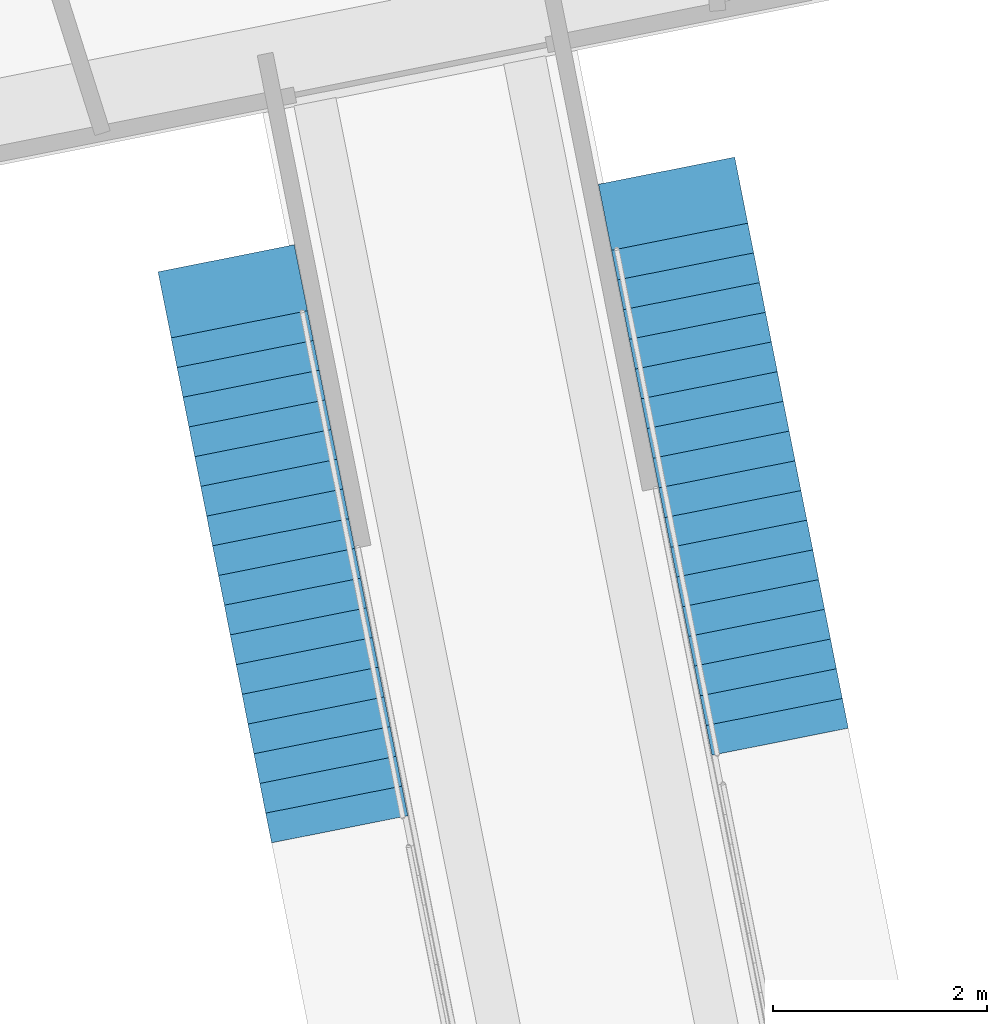
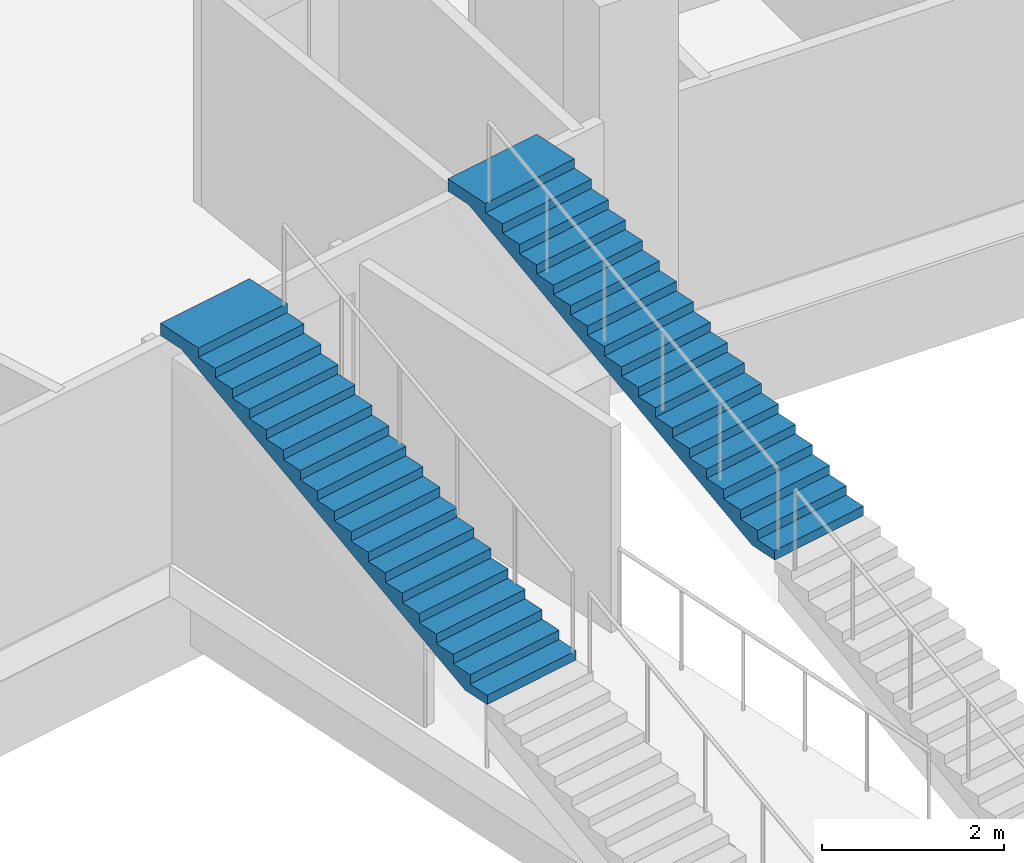
# One storey, part 121 of 175: 2 stair flights, 2 elements without a shape of their own.
"""IFC4 building model written with IfcOpenShell, lengths in metres."""

from ifc_helpers import new_model, si_unit, direction, frame, origin, place, context, subcontext, project, spatial, faceted_brep, material, type_object, element, aggregate, save


model = new_model("IFC4")

# Units and contexts
model_context = context("Model", 3, precision=1e-05, world=origin(), true_north=direction((0.0, 1.0)))
body_context = subcontext(model_context, "Body", "Model", "MODEL_VIEW")
ifc_project = project(units=[si_unit("LENGTHUNIT", "METRE"), si_unit("AREAUNIT", "SQUARE_METRE"), si_unit("VOLUMEUNIT", "CUBIC_METRE"), si_unit("PLANEANGLEUNIT", "RADIAN"), si_unit("MASSUNIT", "GRAM", prefix="KILO")], contexts=[model_context])

# Site, building, storey
site_placement = place(None, origin())
site = spatial("IfcSite", under=ifc_project, at=site_placement, CompositionType="ELEMENT")
building_placement = place(site_placement, origin())
building = spatial("IfcBuilding", under=site, at=building_placement, Name="Ogive Plaza Stadium", CompositionType="ELEMENT")
storey_placement = place(building_placement, origin())
storey = spatial("IfcBuildingStorey", under=building, at=storey_placement, Name="L00", CompositionType="ELEMENT", Elevation=0.0)

# Stair, stair flight
ifc_material_1 = material(Name="Concrete C40/50", Category="concrete")
stair_type = type_object("IfcStairType", Name="Aisle stair", PredefinedType="STRAIGHT_RUN_STAIR", material=ifc_material_1)
stair_1_placement = place(storey_placement, origin())
stair_1 = element("IfcStair", 1, at=stair_1_placement, inside=storey, type_object=stair_type, Name="Aisle stair SA31L", PredefinedType="STRAIGHT_RUN_STAIR")
ifc_material_2 = material(Name="Concrete C40/50", Category="concrete")
stair_flight_type = type_object("IfcStairFlightType", Name="Aisle stair flight", PredefinedType="STRAIGHT", material=ifc_material_2)
stair_flight_1_placement = place(storey_placement, frame((-35.890869140625, 72.7705078125, 2.25), z_axis=(0.0, 0.0, 1.0), x_axis=(-0.195090322016, 0.980785280403, 0.0)))
stair_flight_1 = element("IfcStairFlight", 2, at=stair_flight_1_placement, type_object=stair_flight_type, Name="SA31L flight 2", NumberOfRisers=18, NumberOfTreads=17, PredefinedType="STRAIGHT", RiserHeight=0.125, TreadLength=0.283333333, context=body_context, shape_type="Brep", body=[
    faceted_brep([(0.371337890625, -0.64990234375, 0.0), (5.10009765625, -0.64990234375, 2.086181640625), (5.446533203125, -0.64990234375, 2.086181640625), (5.446533203125, -0.64990234375, 2.25), (4.816650390625, -0.64990234375, 2.25), (4.816650390625, -0.64990234375, 2.125), (4.533447265625, -0.64990234375, 2.125), (4.533447265625, -0.64990234375, 2.0), (4.25, -0.64990234375, 2.0), (4.25, -0.64990234375, 1.875), (3.966552734375, -0.64990234375, 1.875), (3.966552734375, -0.64990234375, 1.75), (3.683349609375, -0.64990234375, 1.75), (3.683349609375, -0.64990234375, 1.625), (3.39990234375, -0.64990234375, 1.625), (3.39990234375, -0.64990234375, 1.5), (3.11669921875, -0.64990234375, 1.5), (3.11669921875, -0.64990234375, 1.375), (2.833251953125, -0.64990234375, 1.375), (2.833251953125, -0.64990234375, 1.25), (2.550048828125, -0.64990234375, 1.25), (2.550048828125, -0.64990234375, 1.125), (2.2666015625, -0.64990234375, 1.125), (2.2666015625, -0.64990234375, 1.0), (1.9833984375, -0.64990234375, 1.0), (1.9833984375, -0.64990234375, 0.875), (1.699951171875, -0.64990234375, 0.875), (1.699951171875, -0.64990234375, 0.75), (1.416748046875, -0.64990234375, 0.75), (1.416748046875, -0.64990234375, 0.625), (1.13330078125, -0.64990234375, 0.625), (1.13330078125, -0.64990234375, 0.5), (0.85009765625, -0.64990234375, 0.5), (0.85009765625, -0.64990234375, 0.375), (0.566650390625, -0.64990234375, 0.375), (0.566650390625, -0.64990234375, 0.25), (0.283447265625, -0.64990234375, 0.25), (0.283447265625, -0.64990234375, 0.125), (0.0, -0.64990234375, 0.125), (0.0, -0.64990234375, 0.0), (0.0, 0.64990234375, 0.0), (0.0, 0.64990234375, 0.125), (0.283447265625, 0.64990234375, 0.125), (0.283447265625, 0.64990234375, 0.25), (0.566650390625, 0.64990234375, 0.25), (0.566650390625, 0.64990234375, 0.375), (0.85009765625, 0.64990234375, 0.375), (0.85009765625, 0.64990234375, 0.5), (1.13330078125, 0.64990234375, 0.5), (1.13330078125, 0.64990234375, 0.625), (1.416748046875, 0.64990234375, 0.625), (1.416748046875, 0.64990234375, 0.75), (1.699951171875, 0.64990234375, 0.75), (1.699951171875, 0.64990234375, 0.875), (1.9833984375, 0.64990234375, 0.875), (1.9833984375, 0.64990234375, 1.0), (2.2666015625, 0.64990234375, 1.0), (2.2666015625, 0.64990234375, 1.125), (2.550048828125, 0.64990234375, 1.125), (2.550048828125, 0.64990234375, 1.25), (2.833251953125, 0.64990234375, 1.25), (2.833251953125, 0.64990234375, 1.375), (3.11669921875, 0.64990234375, 1.375), (3.11669921875, 0.64990234375, 1.5), (3.39990234375, 0.64990234375, 1.5), (3.39990234375, 0.64990234375, 1.625), (3.683349609375, 0.64990234375, 1.625), (3.683349609375, 0.64990234375, 1.75), (3.966552734375, 0.64990234375, 1.75), (3.966552734375, 0.64990234375, 1.875), (4.25, 0.64990234375, 1.875), (4.25, 0.64990234375, 2.0), (4.533447265625, 0.64990234375, 2.0), (4.533447265625, 0.64990234375, 2.125), (4.816650390625, 0.64990234375, 2.125), (4.816650390625, 0.64990234375, 2.25), (5.446533203125, 0.64990234375, 2.25), (5.446533203125, 0.64990234375, 2.086181640625), (5.10009765625, 0.64990234375, 2.086181640625), (0.371337890625, 0.64990234375, 0.0), (0.371337890625, -0.324951171875, 0.0), (5.10009765625, -0.324951171875, 2.086181640625), (0.371337890625, 0.0, 0.0), (5.10009765625, 0.0, 2.086181640625), (0.371337890625, 0.324951171875, 0.0), (5.10009765625, 0.324951171875, 2.086181640625), (5.446533203125, -0.324951171875, 2.086181640625), (5.446533203125, 0.0, 2.086181640625), (5.446533203125, 0.324951171875, 2.086181640625), (5.446533203125, -0.324951171875, 2.25), (5.446533203125, 0.0, 2.25), (5.446533203125, 0.324951171875, 2.25), (4.816650390625, -0.324951171875, 2.25), (4.816650390625, 0.0, 2.25), (4.816650390625, 0.324951171875, 2.25), (4.816650390625, -0.324951171875, 2.125), (4.816650390625, 0.0, 2.125), (4.816650390625, 0.324951171875, 2.125), (4.533447265625, -0.324951171875, 2.125), (4.533447265625, 0.0, 2.125), (4.533447265625, 0.324951171875, 2.125), (4.533447265625, -0.324951171875, 2.0), (4.533447265625, 0.0, 2.0), (4.533447265625, 0.324951171875, 2.0), (4.25, -0.324951171875, 2.0), (4.25, 0.0, 2.0), (4.25, 0.324951171875, 2.0), (4.25, -0.324951171875, 1.875), (4.25, 0.0, 1.875), (4.25, 0.324951171875, 1.875), (3.966552734375, -0.324951171875, 1.875), (3.966552734375, 0.0, 1.875), (3.966552734375, 0.324951171875, 1.875), (3.966552734375, -0.324951171875, 1.75), (3.966552734375, 0.0, 1.75), (3.966552734375, 0.324951171875, 1.75), (3.683349609375, -0.324951171875, 1.75), (3.683349609375, 0.0, 1.75), (3.683349609375, 0.324951171875, 1.75), (3.683349609375, -0.324951171875, 1.625), (3.683349609375, 0.0, 1.625), (3.683349609375, 0.324951171875, 1.625), (3.39990234375, -0.324951171875, 1.625), (3.39990234375, 0.0, 1.625), (3.39990234375, 0.324951171875, 1.625), (3.39990234375, -0.324951171875, 1.5), (3.39990234375, 0.0, 1.5), (3.39990234375, 0.324951171875, 1.5), (3.11669921875, -0.324951171875, 1.5), (3.11669921875, 0.0, 1.5), (3.11669921875, 0.324951171875, 1.5), (3.11669921875, -0.324951171875, 1.375), (3.11669921875, 0.0, 1.375), (3.11669921875, 0.324951171875, 1.375), (2.833251953125, -0.324951171875, 1.375), (2.833251953125, 0.0, 1.375), (2.833251953125, 0.324951171875, 1.375), (2.833251953125, -0.324951171875, 1.25), (2.833251953125, 0.0, 1.25), (2.833251953125, 0.324951171875, 1.25), (2.550048828125, -0.324951171875, 1.25), (2.550048828125, 0.0, 1.25), (2.550048828125, 0.324951171875, 1.25), (2.550048828125, -0.324951171875, 1.125), (2.550048828125, 0.0, 1.125), (2.550048828125, 0.324951171875, 1.125), (2.2666015625, -0.324951171875, 1.125), (2.2666015625, 0.0, 1.125), (2.2666015625, 0.324951171875, 1.125), (2.2666015625, -0.324951171875, 1.0), (2.2666015625, 0.0, 1.0), (2.2666015625, 0.324951171875, 1.0), (1.9833984375, -0.324951171875, 1.0), (1.9833984375, 0.0, 1.0), (1.9833984375, 0.324951171875, 1.0), (1.9833984375, -0.324951171875, 0.875), (1.9833984375, 0.0, 0.875), (1.9833984375, 0.324951171875, 0.875), (1.699951171875, -0.324951171875, 0.875), (1.699951171875, 0.0, 0.875), (1.699951171875, 0.324951171875, 0.875), (1.699951171875, -0.324951171875, 0.75), (1.699951171875, 0.0, 0.75), (1.699951171875, 0.324951171875, 0.75), (1.416748046875, -0.324951171875, 0.75), (1.416748046875, 0.0, 0.75), (1.416748046875, 0.324951171875, 0.75), (1.416748046875, -0.324951171875, 0.625), (1.416748046875, 0.0, 0.625), (1.416748046875, 0.324951171875, 0.625), (1.13330078125, -0.324951171875, 0.625), (1.13330078125, 0.0, 0.625), (1.13330078125, 0.324951171875, 0.625), (1.13330078125, -0.324951171875, 0.5), (1.13330078125, 0.0, 0.5), (1.13330078125, 0.324951171875, 0.5), (0.85009765625, -0.324951171875, 0.5), (0.85009765625, 0.0, 0.5), (0.85009765625, 0.324951171875, 0.5), (0.85009765625, -0.324951171875, 0.375), (0.85009765625, 0.0, 0.375), (0.85009765625, 0.324951171875, 0.375), (0.566650390625, -0.324951171875, 0.375), (0.566650390625, 0.0, 0.375), (0.566650390625, 0.324951171875, 0.375), (0.566650390625, -0.324951171875, 0.25), (0.566650390625, 0.0, 0.25), (0.566650390625, 0.324951171875, 0.25), (0.283447265625, -0.324951171875, 0.25), (0.283447265625, 0.0, 0.25), (0.283447265625, 0.324951171875, 0.25), (0.283447265625, -0.324951171875, 0.125), (0.283447265625, 0.0, 0.125), (0.283447265625, 0.324951171875, 0.125), (0.0, -0.324951171875, 0.125), (0.0, 0.0, 0.125), (0.0, 0.324951171875, 0.125), (0.0, -0.324951171875, 0.0), (0.0, 0.0, 0.0), (0.0, 0.324951171875, 0.0)], [[[0, 1, 2, 3, 4, 5, 6, 7, 8, 9, 10, 11, 12, 13, 14, 15, 16, 17, 18, 19, 20, 21, 22, 23, 24, 25, 26, 27, 28, 29, 30, 31, 32, 33, 34, 35, 36, 37, 38, 39]], [[40, 41, 42, 43, 44, 45, 46, 47, 48, 49, 50, 51, 52, 53, 54, 55, 56, 57, 58, 59, 60, 61, 62, 63, 64, 65, 66, 67, 68, 69, 70, 71, 72, 73, 74, 75, 76, 77, 78, 79]], [[0, 80, 81, 1]], [[80, 82, 83, 81]], [[82, 84, 85, 83]], [[84, 79, 78, 85]], [[1, 81, 86, 2]], [[81, 83, 87, 86]], [[83, 85, 88, 87]], [[85, 78, 77, 88]], [[2, 86, 89, 3]], [[86, 87, 90, 89]], [[87, 88, 91, 90]], [[88, 77, 76, 91]], [[3, 89, 92, 4]], [[89, 90, 93, 92]], [[90, 91, 94, 93]], [[91, 76, 75, 94]], [[4, 92, 95, 5]], [[92, 93, 96, 95]], [[93, 94, 97, 96]], [[94, 75, 74, 97]], [[5, 95, 98, 6]], [[95, 96, 99, 98]], [[96, 97, 100, 99]], [[97, 74, 73, 100]], [[6, 98, 101, 7]], [[98, 99, 102, 101]], [[99, 100, 103, 102]], [[100, 73, 72, 103]], [[7, 101, 104, 8]], [[101, 102, 105, 104]], [[102, 103, 106, 105]], [[103, 72, 71, 106]], [[8, 104, 107, 9]], [[104, 105, 108, 107]], [[105, 106, 109, 108]], [[106, 71, 70, 109]], [[9, 107, 110, 10]], [[107, 108, 111, 110]], [[108, 109, 112, 111]], [[109, 70, 69, 112]], [[10, 110, 113, 11]], [[110, 111, 114, 113]], [[111, 112, 115, 114]], [[112, 69, 68, 115]], [[11, 113, 116, 12]], [[113, 114, 117, 116]], [[114, 115, 118, 117]], [[115, 68, 67, 118]], [[12, 116, 119, 13]], [[116, 117, 120, 119]], [[117, 118, 121, 120]], [[118, 67, 66, 121]], [[13, 119, 122, 14]], [[119, 120, 123, 122]], [[120, 121, 124, 123]], [[121, 66, 65, 124]], [[14, 122, 125, 15]], [[122, 123, 126, 125]], [[123, 124, 127, 126]], [[124, 65, 64, 127]], [[15, 125, 128, 16]], [[125, 126, 129, 128]], [[126, 127, 130, 129]], [[127, 64, 63, 130]], [[16, 128, 131, 17]], [[128, 129, 132, 131]], [[129, 130, 133, 132]], [[130, 63, 62, 133]], [[17, 131, 134, 18]], [[131, 132, 135, 134]], [[132, 133, 136, 135]], [[133, 62, 61, 136]], [[18, 134, 137, 19]], [[134, 135, 138, 137]], [[135, 136, 139, 138]], [[136, 61, 60, 139]], [[19, 137, 140, 20]], [[137, 138, 141, 140]], [[138, 139, 142, 141]], [[139, 60, 59, 142]], [[20, 140, 143, 21]], [[140, 141, 144, 143]], [[141, 142, 145, 144]], [[142, 59, 58, 145]], [[21, 143, 146, 22]], [[143, 144, 147, 146]], [[144, 145, 148, 147]], [[145, 58, 57, 148]], [[22, 146, 149, 23]], [[146, 147, 150, 149]], [[147, 148, 151, 150]], [[148, 57, 56, 151]], [[23, 149, 152, 24]], [[149, 150, 153, 152]], [[150, 151, 154, 153]], [[151, 56, 55, 154]], [[24, 152, 155, 25]], [[152, 153, 156, 155]], [[153, 154, 157, 156]], [[154, 55, 54, 157]], [[25, 155, 158, 26]], [[155, 156, 159, 158]], [[156, 157, 160, 159]], [[157, 54, 53, 160]], [[26, 158, 161, 27]], [[158, 159, 162, 161]], [[159, 160, 163, 162]], [[160, 53, 52, 163]], [[27, 161, 164, 28]], [[161, 162, 165, 164]], [[162, 163, 166, 165]], [[163, 52, 51, 166]], [[28, 164, 167, 29]], [[164, 165, 168, 167]], [[165, 166, 169, 168]], [[166, 51, 50, 169]], [[29, 167, 170, 30]], [[167, 168, 171, 170]], [[168, 169, 172, 171]], [[169, 50, 49, 172]], [[30, 170, 173, 31]], [[170, 171, 174, 173]], [[171, 172, 175, 174]], [[172, 49, 48, 175]], [[31, 173, 176, 32]], [[173, 174, 177, 176]], [[174, 175, 178, 177]], [[175, 48, 47, 178]], [[32, 176, 179, 33]], [[176, 177, 180, 179]], [[177, 178, 181, 180]], [[178, 47, 46, 181]], [[33, 179, 182, 34]], [[179, 180, 183, 182]], [[180, 181, 184, 183]], [[181, 46, 45, 184]], [[34, 182, 185, 35]], [[182, 183, 186, 185]], [[183, 184, 187, 186]], [[184, 45, 44, 187]], [[35, 185, 188, 36]], [[185, 186, 189, 188]], [[186, 187, 190, 189]], [[187, 44, 43, 190]], [[36, 188, 191, 37]], [[188, 189, 192, 191]], [[189, 190, 193, 192]], [[190, 43, 42, 193]], [[37, 191, 194, 38]], [[191, 192, 195, 194]], [[192, 193, 196, 195]], [[193, 42, 41, 196]], [[38, 194, 197, 39]], [[194, 195, 198, 197]], [[195, 196, 199, 198]], [[196, 41, 40, 199]], [[39, 197, 80, 0]], [[197, 198, 82, 80]], [[198, 199, 84, 82]], [[199, 40, 79, 84]]]),
])
aggregate(stair_1, [stair_flight_1])

stair_2_placement = place(storey_placement, origin())
stair_2 = element("IfcStair", 3, at=stair_2_placement, inside=storey, type_object=stair_type, Name="Aisle stair SA31R", PredefinedType="STRAIGHT_RUN_STAIR")
stair_flight_2_placement = place(storey_placement, frame((-40.01025390625, 71.951171875, 2.25), z_axis=(0.0, 0.0, 1.0), x_axis=(-0.195090322016, 0.980785280403, 0.0)))
stair_flight_2 = element("IfcStairFlight", 4, at=stair_flight_2_placement, type_object=stair_flight_type, Name="SA31R flight 2", NumberOfRisers=18, NumberOfTreads=17, PredefinedType="STRAIGHT", RiserHeight=0.125, TreadLength=0.283333333, context=body_context, shape_type="Brep", body=[
    faceted_brep([(0.371337890625, -0.64990234375, 0.0), (5.10009765625, -0.64990234375, 2.086181640625), (5.446533203125, -0.64990234375, 2.086181640625), (5.446533203125, -0.64990234375, 2.25), (4.816650390625, -0.64990234375, 2.25), (4.816650390625, -0.64990234375, 2.125), (4.533447265625, -0.64990234375, 2.125), (4.533447265625, -0.64990234375, 2.0), (4.25, -0.64990234375, 2.0), (4.25, -0.64990234375, 1.875), (3.966552734375, -0.64990234375, 1.875), (3.966552734375, -0.64990234375, 1.75), (3.683349609375, -0.64990234375, 1.75), (3.683349609375, -0.64990234375, 1.625), (3.39990234375, -0.64990234375, 1.625), (3.39990234375, -0.64990234375, 1.5), (3.11669921875, -0.64990234375, 1.5), (3.11669921875, -0.64990234375, 1.375), (2.833251953125, -0.64990234375, 1.375), (2.833251953125, -0.64990234375, 1.25), (2.550048828125, -0.64990234375, 1.25), (2.550048828125, -0.64990234375, 1.125), (2.2666015625, -0.64990234375, 1.125), (2.2666015625, -0.64990234375, 1.0), (1.9833984375, -0.64990234375, 1.0), (1.9833984375, -0.64990234375, 0.875), (1.699951171875, -0.64990234375, 0.875), (1.699951171875, -0.64990234375, 0.75), (1.416748046875, -0.64990234375, 0.75), (1.416748046875, -0.64990234375, 0.625), (1.13330078125, -0.64990234375, 0.625), (1.13330078125, -0.64990234375, 0.5), (0.85009765625, -0.64990234375, 0.5), (0.85009765625, -0.64990234375, 0.375), (0.566650390625, -0.64990234375, 0.375), (0.566650390625, -0.64990234375, 0.25), (0.283447265625, -0.64990234375, 0.25), (0.283447265625, -0.64990234375, 0.125), (0.0, -0.64990234375, 0.125), (0.0, -0.64990234375, 0.0), (0.0, 0.64990234375, 0.0), (0.0, 0.64990234375, 0.125), (0.283447265625, 0.64990234375, 0.125), (0.283447265625, 0.64990234375, 0.25), (0.566650390625, 0.64990234375, 0.25), (0.566650390625, 0.64990234375, 0.375), (0.85009765625, 0.64990234375, 0.375), (0.85009765625, 0.64990234375, 0.5), (1.13330078125, 0.64990234375, 0.5), (1.13330078125, 0.64990234375, 0.625), (1.416748046875, 0.64990234375, 0.625), (1.416748046875, 0.64990234375, 0.75), (1.699951171875, 0.64990234375, 0.75), (1.699951171875, 0.64990234375, 0.875), (1.9833984375, 0.64990234375, 0.875), (1.9833984375, 0.64990234375, 1.0), (2.2666015625, 0.64990234375, 1.0), (2.2666015625, 0.64990234375, 1.125), (2.550048828125, 0.64990234375, 1.125), (2.550048828125, 0.64990234375, 1.25), (2.833251953125, 0.64990234375, 1.25), (2.833251953125, 0.64990234375, 1.375), (3.11669921875, 0.64990234375, 1.375), (3.11669921875, 0.64990234375, 1.5), (3.39990234375, 0.64990234375, 1.5), (3.39990234375, 0.64990234375, 1.625), (3.683349609375, 0.64990234375, 1.625), (3.683349609375, 0.64990234375, 1.75), (3.966552734375, 0.64990234375, 1.75), (3.966552734375, 0.64990234375, 1.875), (4.25, 0.64990234375, 1.875), (4.25, 0.64990234375, 2.0), (4.533447265625, 0.64990234375, 2.0), (4.533447265625, 0.64990234375, 2.125), (4.816650390625, 0.64990234375, 2.125), (4.816650390625, 0.64990234375, 2.25), (5.446533203125, 0.64990234375, 2.25), (5.446533203125, 0.64990234375, 2.086181640625), (5.10009765625, 0.64990234375, 2.086181640625), (0.371337890625, 0.64990234375, 0.0), (0.371337890625, -0.324951171875, 0.0), (5.10009765625, -0.324951171875, 2.086181640625), (0.371337890625, 0.0, 0.0), (5.10009765625, 0.0, 2.086181640625), (0.371337890625, 0.324951171875, 0.0), (5.10009765625, 0.324951171875, 2.086181640625), (5.446533203125, -0.324951171875, 2.086181640625), (5.446533203125, 0.0, 2.086181640625), (5.446533203125, 0.324951171875, 2.086181640625), (5.446533203125, -0.324951171875, 2.25), (5.446533203125, 0.0, 2.25), (5.446533203125, 0.324951171875, 2.25), (4.816650390625, -0.324951171875, 2.25), (4.816650390625, 0.0, 2.25), (4.816650390625, 0.324951171875, 2.25), (4.816650390625, -0.324951171875, 2.125), (4.816650390625, 0.0, 2.125), (4.816650390625, 0.324951171875, 2.125), (4.533447265625, -0.324951171875, 2.125), (4.533447265625, 0.0, 2.125), (4.533447265625, 0.324951171875, 2.125), (4.533447265625, -0.324951171875, 2.0), (4.533447265625, 0.0, 2.0), (4.533447265625, 0.324951171875, 2.0), (4.25, -0.324951171875, 2.0), (4.25, 0.0, 2.0), (4.25, 0.324951171875, 2.0), (4.25, -0.324951171875, 1.875), (4.25, 0.0, 1.875), (4.25, 0.324951171875, 1.875), (3.966552734375, -0.324951171875, 1.875), (3.966552734375, 0.0, 1.875), (3.966552734375, 0.324951171875, 1.875), (3.966552734375, -0.324951171875, 1.75), (3.966552734375, 0.0, 1.75), (3.966552734375, 0.324951171875, 1.75), (3.683349609375, -0.324951171875, 1.75), (3.683349609375, 0.0, 1.75), (3.683349609375, 0.324951171875, 1.75), (3.683349609375, -0.324951171875, 1.625), (3.683349609375, 0.0, 1.625), (3.683349609375, 0.324951171875, 1.625), (3.39990234375, -0.324951171875, 1.625), (3.39990234375, 0.0, 1.625), (3.39990234375, 0.324951171875, 1.625), (3.39990234375, -0.324951171875, 1.5), (3.39990234375, 0.0, 1.5), (3.39990234375, 0.324951171875, 1.5), (3.11669921875, -0.324951171875, 1.5), (3.11669921875, 0.0, 1.5), (3.11669921875, 0.324951171875, 1.5), (3.11669921875, -0.324951171875, 1.375), (3.11669921875, 0.0, 1.375), (3.11669921875, 0.324951171875, 1.375), (2.833251953125, -0.324951171875, 1.375), (2.833251953125, 0.0, 1.375), (2.833251953125, 0.324951171875, 1.375), (2.833251953125, -0.324951171875, 1.25), (2.833251953125, 0.0, 1.25), (2.833251953125, 0.324951171875, 1.25), (2.550048828125, -0.324951171875, 1.25), (2.550048828125, 0.0, 1.25), (2.550048828125, 0.324951171875, 1.25), (2.550048828125, -0.324951171875, 1.125), (2.550048828125, 0.0, 1.125), (2.550048828125, 0.324951171875, 1.125), (2.2666015625, -0.324951171875, 1.125), (2.2666015625, 0.0, 1.125), (2.2666015625, 0.324951171875, 1.125), (2.2666015625, -0.324951171875, 1.0), (2.2666015625, 0.0, 1.0), (2.2666015625, 0.324951171875, 1.0), (1.9833984375, -0.324951171875, 1.0), (1.9833984375, 0.0, 1.0), (1.9833984375, 0.324951171875, 1.0), (1.9833984375, -0.324951171875, 0.875), (1.9833984375, 0.0, 0.875), (1.9833984375, 0.324951171875, 0.875), (1.699951171875, -0.324951171875, 0.875), (1.699951171875, 0.0, 0.875), (1.699951171875, 0.324951171875, 0.875), (1.699951171875, -0.324951171875, 0.75), (1.699951171875, 0.0, 0.75), (1.699951171875, 0.324951171875, 0.75), (1.416748046875, -0.324951171875, 0.75), (1.416748046875, 0.0, 0.75), (1.416748046875, 0.324951171875, 0.75), (1.416748046875, -0.324951171875, 0.625), (1.416748046875, 0.0, 0.625), (1.416748046875, 0.324951171875, 0.625), (1.13330078125, -0.324951171875, 0.625), (1.13330078125, 0.0, 0.625), (1.13330078125, 0.324951171875, 0.625), (1.13330078125, -0.324951171875, 0.5), (1.13330078125, 0.0, 0.5), (1.13330078125, 0.324951171875, 0.5), (0.85009765625, -0.324951171875, 0.5), (0.85009765625, 0.0, 0.5), (0.85009765625, 0.324951171875, 0.5), (0.85009765625, -0.324951171875, 0.375), (0.85009765625, 0.0, 0.375), (0.85009765625, 0.324951171875, 0.375), (0.566650390625, -0.324951171875, 0.375), (0.566650390625, 0.0, 0.375), (0.566650390625, 0.324951171875, 0.375), (0.566650390625, -0.324951171875, 0.25), (0.566650390625, 0.0, 0.25), (0.566650390625, 0.324951171875, 0.25), (0.283447265625, -0.324951171875, 0.25), (0.283447265625, 0.0, 0.25), (0.283447265625, 0.324951171875, 0.25), (0.283447265625, -0.324951171875, 0.125), (0.283447265625, 0.0, 0.125), (0.283447265625, 0.324951171875, 0.125), (0.0, -0.324951171875, 0.125), (0.0, 0.0, 0.125), (0.0, 0.324951171875, 0.125), (0.0, -0.324951171875, 0.0), (0.0, 0.0, 0.0), (0.0, 0.324951171875, 0.0)], [[[0, 1, 2, 3, 4, 5, 6, 7, 8, 9, 10, 11, 12, 13, 14, 15, 16, 17, 18, 19, 20, 21, 22, 23, 24, 25, 26, 27, 28, 29, 30, 31, 32, 33, 34, 35, 36, 37, 38, 39]], [[40, 41, 42, 43, 44, 45, 46, 47, 48, 49, 50, 51, 52, 53, 54, 55, 56, 57, 58, 59, 60, 61, 62, 63, 64, 65, 66, 67, 68, 69, 70, 71, 72, 73, 74, 75, 76, 77, 78, 79]], [[0, 80, 81, 1]], [[80, 82, 83, 81]], [[82, 84, 85, 83]], [[84, 79, 78, 85]], [[1, 81, 86, 2]], [[81, 83, 87, 86]], [[83, 85, 88, 87]], [[85, 78, 77, 88]], [[2, 86, 89, 3]], [[86, 87, 90, 89]], [[87, 88, 91, 90]], [[88, 77, 76, 91]], [[3, 89, 92, 4]], [[89, 90, 93, 92]], [[90, 91, 94, 93]], [[91, 76, 75, 94]], [[4, 92, 95, 5]], [[92, 93, 96, 95]], [[93, 94, 97, 96]], [[94, 75, 74, 97]], [[5, 95, 98, 6]], [[95, 96, 99, 98]], [[96, 97, 100, 99]], [[97, 74, 73, 100]], [[6, 98, 101, 7]], [[98, 99, 102, 101]], [[99, 100, 103, 102]], [[100, 73, 72, 103]], [[7, 101, 104, 8]], [[101, 102, 105, 104]], [[102, 103, 106, 105]], [[103, 72, 71, 106]], [[8, 104, 107, 9]], [[104, 105, 108, 107]], [[105, 106, 109, 108]], [[106, 71, 70, 109]], [[9, 107, 110, 10]], [[107, 108, 111, 110]], [[108, 109, 112, 111]], [[109, 70, 69, 112]], [[10, 110, 113, 11]], [[110, 111, 114, 113]], [[111, 112, 115, 114]], [[112, 69, 68, 115]], [[11, 113, 116, 12]], [[113, 114, 117, 116]], [[114, 115, 118, 117]], [[115, 68, 67, 118]], [[12, 116, 119, 13]], [[116, 117, 120, 119]], [[117, 118, 121, 120]], [[118, 67, 66, 121]], [[13, 119, 122, 14]], [[119, 120, 123, 122]], [[120, 121, 124, 123]], [[121, 66, 65, 124]], [[14, 122, 125, 15]], [[122, 123, 126, 125]], [[123, 124, 127, 126]], [[124, 65, 64, 127]], [[15, 125, 128, 16]], [[125, 126, 129, 128]], [[126, 127, 130, 129]], [[127, 64, 63, 130]], [[16, 128, 131, 17]], [[128, 129, 132, 131]], [[129, 130, 133, 132]], [[130, 63, 62, 133]], [[17, 131, 134, 18]], [[131, 132, 135, 134]], [[132, 133, 136, 135]], [[133, 62, 61, 136]], [[18, 134, 137, 19]], [[134, 135, 138, 137]], [[135, 136, 139, 138]], [[136, 61, 60, 139]], [[19, 137, 140, 20]], [[137, 138, 141, 140]], [[138, 139, 142, 141]], [[139, 60, 59, 142]], [[20, 140, 143, 21]], [[140, 141, 144, 143]], [[141, 142, 145, 144]], [[142, 59, 58, 145]], [[21, 143, 146, 22]], [[143, 144, 147, 146]], [[144, 145, 148, 147]], [[145, 58, 57, 148]], [[22, 146, 149, 23]], [[146, 147, 150, 149]], [[147, 148, 151, 150]], [[148, 57, 56, 151]], [[23, 149, 152, 24]], [[149, 150, 153, 152]], [[150, 151, 154, 153]], [[151, 56, 55, 154]], [[24, 152, 155, 25]], [[152, 153, 156, 155]], [[153, 154, 157, 156]], [[154, 55, 54, 157]], [[25, 155, 158, 26]], [[155, 156, 159, 158]], [[156, 157, 160, 159]], [[157, 54, 53, 160]], [[26, 158, 161, 27]], [[158, 159, 162, 161]], [[159, 160, 163, 162]], [[160, 53, 52, 163]], [[27, 161, 164, 28]], [[161, 162, 165, 164]], [[162, 163, 166, 165]], [[163, 52, 51, 166]], [[28, 164, 167, 29]], [[164, 165, 168, 167]], [[165, 166, 169, 168]], [[166, 51, 50, 169]], [[29, 167, 170, 30]], [[167, 168, 171, 170]], [[168, 169, 172, 171]], [[169, 50, 49, 172]], [[30, 170, 173, 31]], [[170, 171, 174, 173]], [[171, 172, 175, 174]], [[172, 49, 48, 175]], [[31, 173, 176, 32]], [[173, 174, 177, 176]], [[174, 175, 178, 177]], [[175, 48, 47, 178]], [[32, 176, 179, 33]], [[176, 177, 180, 179]], [[177, 178, 181, 180]], [[178, 47, 46, 181]], [[33, 179, 182, 34]], [[179, 180, 183, 182]], [[180, 181, 184, 183]], [[181, 46, 45, 184]], [[34, 182, 185, 35]], [[182, 183, 186, 185]], [[183, 184, 187, 186]], [[184, 45, 44, 187]], [[35, 185, 188, 36]], [[185, 186, 189, 188]], [[186, 187, 190, 189]], [[187, 44, 43, 190]], [[36, 188, 191, 37]], [[188, 189, 192, 191]], [[189, 190, 193, 192]], [[190, 43, 42, 193]], [[37, 191, 194, 38]], [[191, 192, 195, 194]], [[192, 193, 196, 195]], [[193, 42, 41, 196]], [[38, 194, 197, 39]], [[194, 195, 198, 197]], [[195, 196, 199, 198]], [[196, 41, 40, 199]], [[39, 197, 80, 0]], [[197, 198, 82, 80]], [[198, 199, 84, 82]], [[199, 40, 79, 84]]]),
])
aggregate(stair_2, [stair_flight_2])

save(model, "model.ifc")
